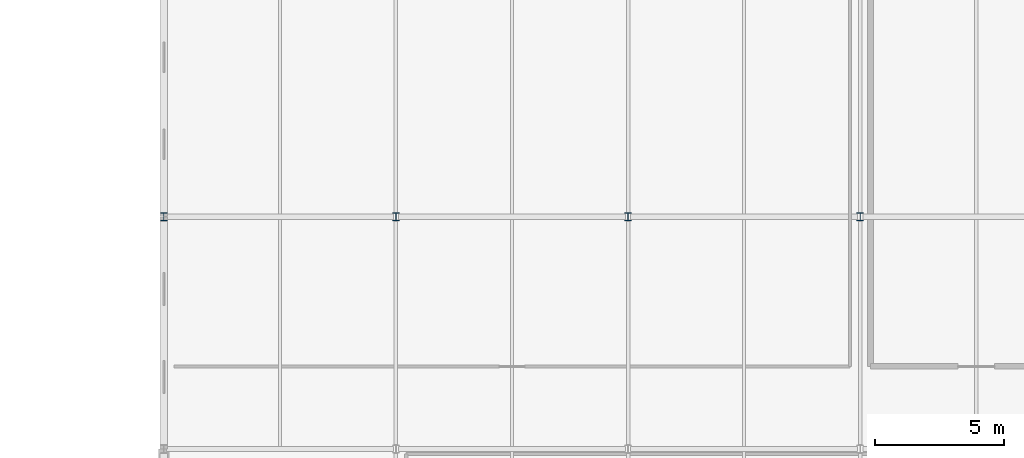
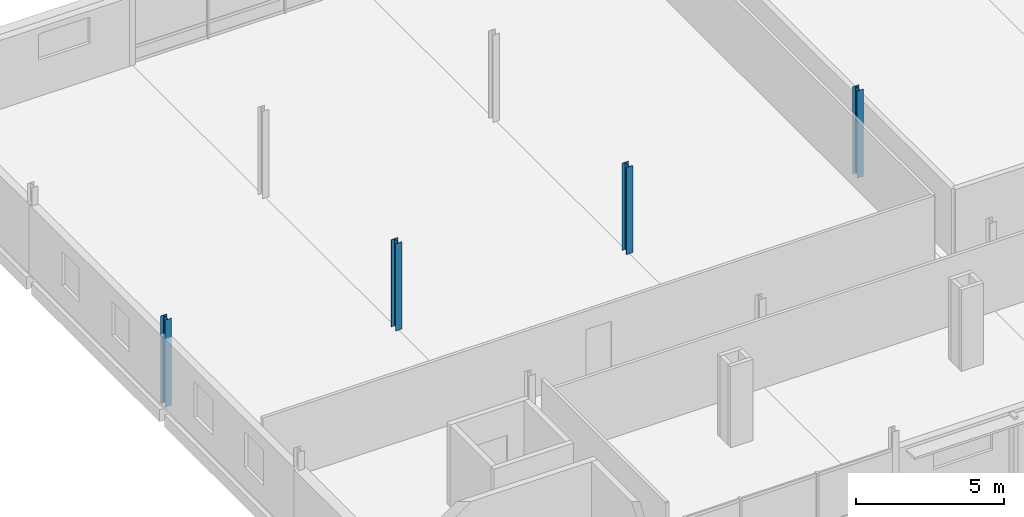
# One storey, part 20 of 132: 4 columns.
"""IFC4 building model written with IfcOpenShell, lengths in metres."""

from ifc_helpers import new_model, si_unit, direction, frame, origin, origin_2d, place, context, subcontext, project, spatial, i_section, extrude, material, material_profile, profile_set, type_object, element, save


model = new_model("IFC4")

# Units and contexts
model_context = context("Model", 3, precision=1e-05, world=origin(), true_north=direction((0.0, 1.0)))
body_context = subcontext(model_context, "Body", "Model", "MODEL_VIEW")
ifc_project = project(units=[si_unit("LENGTHUNIT", "METRE"), si_unit("AREAUNIT", "SQUARE_METRE"), si_unit("VOLUMEUNIT", "CUBIC_METRE"), si_unit("PLANEANGLEUNIT", "RADIAN"), si_unit("MASSUNIT", "GRAM", prefix="KILO")], contexts=[model_context])

# Site, building, storey
site_placement = place(None, origin())
site = spatial("IfcSite", under=ifc_project, at=site_placement, CompositionType="ELEMENT")
building_placement = place(site_placement, origin())
building = spatial("IfcBuilding", under=site, at=building_placement, Name="Tharagai Park Tramway Depot", CompositionType="ELEMENT")
storey_placement = place(building_placement, frame((0.0, 0.0, 4.800048828125)))
storey = spatial("IfcBuildingStorey", under=building, at=storey_placement, Name="L01", CompositionType="ELEMENT", Elevation=4.800048828125)

# Columns
ifc_material = material(Name="Steel E350", Category="steel")
ifc_material_profile = material_profile(ifc_material, i_section(OverallWidth=0.25, OverallDepth=0.300048828125, WebThickness=0.009521484375, FlangeThickness=0.010498046875, FilletRadius=0.011962890625, at=origin_2d()), Name="ISHB 300")
ifc_profile_set = profile_set([ifc_material_profile], Name="Steel E350")
column_type = type_object("IfcColumnType", Name="CL-08", PredefinedType="COLUMN", material=ifc_profile_set)
for number, where, z_axis, x_axis, name in (
    (1, (162.0, 117.0, 0.0), (0.0, 0.0, 1.0), (1.0, 0.0, 0.0), "L01 Structural Column CL-08 (162,117)"),
    (2, (171.0, 117.0, 0.0), (0.0, 0.0, 1.0), (1.0, 0.0, 0.0), "L01 Structural Column CL-08 (171,117)"),
    (3, (180.0, 117.0, 0.0), (0.0, 0.0, 1.0), (1.0, 0.0, 0.0), "L01 Structural Column CL-08 (180,117)"),
    (4, (189.0, 117.0, 0.0), (0.0, 0.0, 1.0), (1.0, 0.0, 0.0), "L01 Structural Column CL-08 (189,117)"),
):
    element("IfcColumn", number, at=place(storey_placement, frame(where, z_axis=z_axis, x_axis=x_axis)), inside=storey, type_object=column_type, Name=name, PredefinedType="COLUMN", context=body_context, shape_type="SweptSolid", body=[
        extrude(i_section(OverallWidth=0.25, OverallDepth=0.300048828125, WebThickness=0.009521484375, FlangeThickness=0.010498046875, FilletRadius=0.011962890625, at=origin_2d()), origin(), (0.0, 0.0, 1.0), 3.599853515625),
    ])

save(model, "model.ifc")
